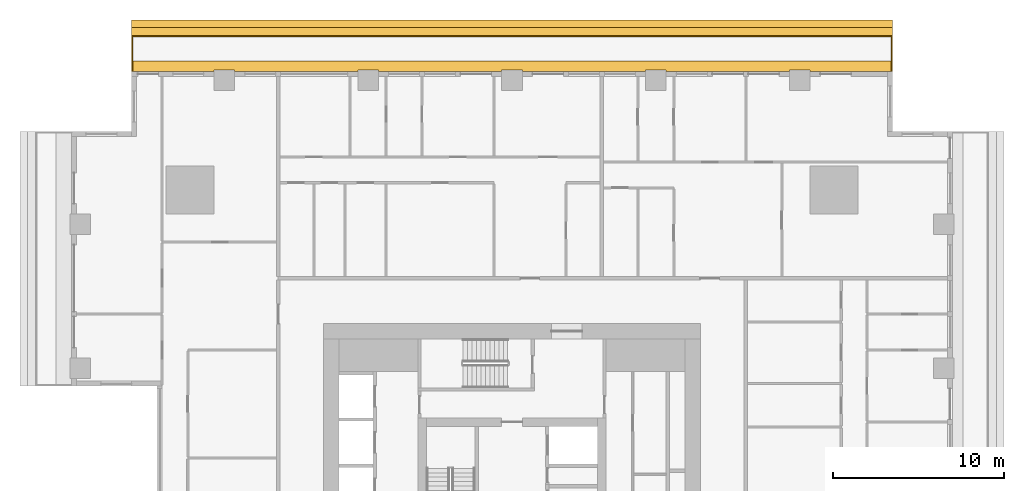
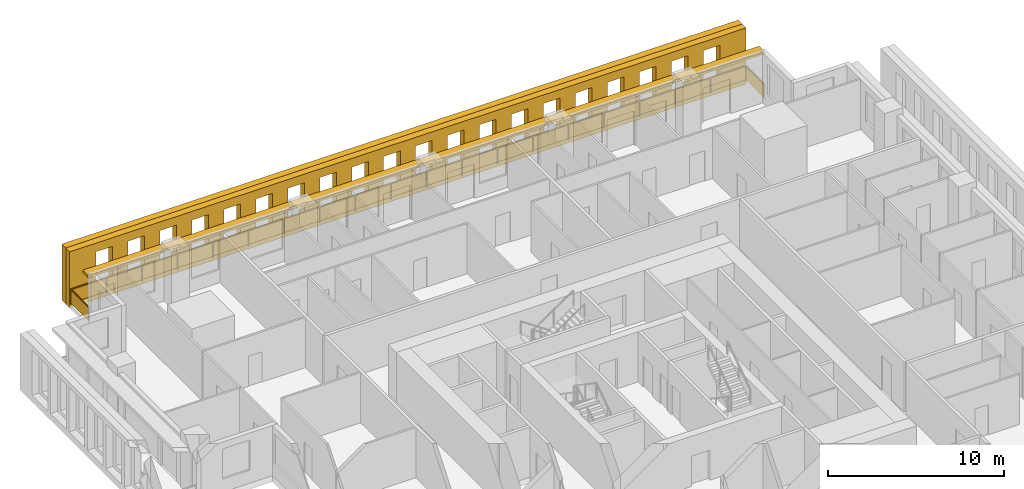
# One storey, part 15 of 15: 3 shading devices, 1 railing.
"""IFC4 building model written with IfcOpenShell, lengths in metres."""

from ifc_helpers import new_model, si_unit, direction, frame, origin, origin_2d, place, context, subcontext, project, spatial, polyline, rectangle, outline, extrude, material, layer, layer_set, type_object, element, save


model = new_model("IFC4")

# Units and contexts
model_context = context("Model", 3, precision=1e-05, world=origin(), true_north=direction((0.0, 1.0)))
body_context = subcontext(model_context, "Body", "Model", "MODEL_VIEW")
ifc_project = project(units=[si_unit("LENGTHUNIT", "METRE"), si_unit("AREAUNIT", "SQUARE_METRE"), si_unit("VOLUMEUNIT", "CUBIC_METRE"), si_unit("PLANEANGLEUNIT", "RADIAN"), si_unit("MASSUNIT", "GRAM", prefix="KILO")], contexts=[model_context])

# Site, building, storey
site_placement = place(None, origin())
site = spatial("IfcSite", under=ifc_project, at=site_placement, CompositionType="ELEMENT")
building_placement = place(site_placement, origin())
building = spatial("IfcBuilding", under=site, at=building_placement, Name="Khepri Terraces", CompositionType="ELEMENT")
storey_placement = place(building_placement, frame((0.0, 0.0, 98.699951171875)))
storey = spatial("IfcBuildingStorey", under=building, at=storey_placement, Name="L23", CompositionType="ELEMENT", Elevation=98.699951171875)

# Railing
ifc_material_1 = material(Name="Stainless steel grade 316", Category="steel")
railing_type = type_object("IfcRailingType", Name="GRD-BAL-1100", PredefinedType="GUARDRAIL", material=ifc_material_1)
railing_placement = place(storey_placement, frame((22.169921875, 25.719970703125, 0.0)))
element("IfcRailing", 1, at=railing_placement, inside=storey, type_object=railing_type, Name="Balcony guard L23 N", PredefinedType="GUARDRAIL", context=body_context, shape_type="SweptSolid", body=[
    extrude(rectangle(XDim=0.050048828125, YDim=0.06005859375, at=origin_2d()), frame((0.0, 0.0, 1.070068359375), z_axis=(0.0, 1.0, 0.0), x_axis=(-1.0, 0.0, 0.0)), (0.0, 0.0, 1.0), 2.050048828125),
    extrude(rectangle(XDim=2.0, YDim=0.011962890625, at=origin_2d()), frame((0.0, 1.02490234375, 0.10009765625), z_axis=(0.0, 0.0, 1.0), x_axis=(0.0, 1.0, 0.0)), (0.0, 0.0, 1.0), 0.93994140625),
    extrude(rectangle(XDim=0.050048828125, YDim=0.06005859375, at=origin_2d()), frame((0.0, 2.050048828125, 1.070068359375), z_axis=(-1.0, 0.0, 0.0), x_axis=(0.0, -1.0, 0.0)), (0.0, 0.0, 1.0), 44.33984375),
    extrude(rectangle(XDim=2.28369140625, YDim=0.011962890625, at=origin_2d()), frame((-1.166748046875, 2.050048828125, 0.10009765625), z_axis=(0.0, 0.0, 1.0), x_axis=(-1.0, 0.0, 0.0)), (0.0, 0.0, 1.0), 0.93994140625),
    extrude(rectangle(XDim=2.28369140625, YDim=0.011962890625, at=origin_2d()), frame((-3.50048828125, 2.050048828125, 0.10009765625), z_axis=(0.0, 0.0, 1.0), x_axis=(-1.0, 0.0, 0.0)), (0.0, 0.0, 1.0), 0.93994140625),
    extrude(rectangle(XDim=2.28369140625, YDim=0.011962890625, at=origin_2d()), frame((-5.834228515625, 2.050048828125, 0.10009765625), z_axis=(0.0, 0.0, 1.0), x_axis=(-1.0, 0.0, 0.0)), (0.0, 0.0, 1.0), 0.93994140625),
    extrude(rectangle(XDim=2.28369140625, YDim=0.011962890625, at=origin_2d()), frame((-8.16796875, 2.050048828125, 0.10009765625), z_axis=(0.0, 0.0, 1.0), x_axis=(-1.0, 0.0, 0.0)), (0.0, 0.0, 1.0), 0.93994140625),
    extrude(rectangle(XDim=2.28369140625, YDim=0.011962890625, at=origin_2d()), frame((-10.50146484375, 2.050048828125, 0.10009765625), z_axis=(0.0, 0.0, 1.0), x_axis=(-1.0, 0.0, 0.0)), (0.0, 0.0, 1.0), 0.93994140625),
    extrude(rectangle(XDim=2.28369140625, YDim=0.011962890625, at=origin_2d()), frame((-12.835205078125, 2.050048828125, 0.10009765625), z_axis=(0.0, 0.0, 1.0), x_axis=(-1.0, 0.0, 0.0)), (0.0, 0.0, 1.0), 0.93994140625),
    extrude(rectangle(XDim=2.28369140625, YDim=0.011962890625, at=origin_2d()), frame((-15.1689453125, 2.050048828125, 0.10009765625), z_axis=(0.0, 0.0, 1.0), x_axis=(-1.0, 0.0, 0.0)), (0.0, 0.0, 1.0), 0.93994140625),
    extrude(rectangle(XDim=2.28369140625, YDim=0.011962890625, at=origin_2d()), frame((-17.502685546875, 2.050048828125, 0.10009765625), z_axis=(0.0, 0.0, 1.0), x_axis=(-1.0, 0.0, 0.0)), (0.0, 0.0, 1.0), 0.93994140625),
    extrude(rectangle(XDim=2.28369140625, YDim=0.011962890625, at=origin_2d()), frame((-19.836181640625, 2.050048828125, 0.10009765625), z_axis=(0.0, 0.0, 1.0), x_axis=(-1.0, 0.0, 0.0)), (0.0, 0.0, 1.0), 0.93994140625),
    extrude(rectangle(XDim=2.28369140625, YDim=0.011962890625, at=origin_2d()), frame((-22.169921875, 2.050048828125, 0.10009765625), z_axis=(0.0, 0.0, 1.0), x_axis=(-1.0, 0.0, 0.0)), (0.0, 0.0, 1.0), 0.93994140625),
    extrude(rectangle(XDim=2.28369140625, YDim=0.011962890625, at=origin_2d()), frame((-24.503662109375, 2.050048828125, 0.10009765625), z_axis=(0.0, 0.0, 1.0), x_axis=(-1.0, 0.0, 0.0)), (0.0, 0.0, 1.0), 0.93994140625),
    extrude(rectangle(XDim=2.28369140625, YDim=0.011962890625, at=origin_2d()), frame((-26.837158203125, 2.050048828125, 0.10009765625), z_axis=(0.0, 0.0, 1.0), x_axis=(-1.0, 0.0, 0.0)), (0.0, 0.0, 1.0), 0.93994140625),
    extrude(rectangle(XDim=2.28369140625, YDim=0.011962890625, at=origin_2d()), frame((-29.1708984375, 2.050048828125, 0.10009765625), z_axis=(0.0, 0.0, 1.0), x_axis=(-1.0, 0.0, 0.0)), (0.0, 0.0, 1.0), 0.93994140625),
    extrude(rectangle(XDim=2.28369140625, YDim=0.011962890625, at=origin_2d()), frame((-31.504638671875, 2.050048828125, 0.10009765625), z_axis=(0.0, 0.0, 1.0), x_axis=(-1.0, 0.0, 0.0)), (0.0, 0.0, 1.0), 0.93994140625),
    extrude(rectangle(XDim=2.28369140625, YDim=0.011962890625, at=origin_2d()), frame((-33.83837890625, 2.050048828125, 0.10009765625), z_axis=(0.0, 0.0, 1.0), x_axis=(-1.0, 0.0, 0.0)), (0.0, 0.0, 1.0), 0.93994140625),
    extrude(rectangle(XDim=2.28369140625, YDim=0.011962890625, at=origin_2d()), frame((-36.171875, 2.050048828125, 0.10009765625), z_axis=(0.0, 0.0, 1.0), x_axis=(-1.0, 0.0, 0.0)), (0.0, 0.0, 1.0), 0.93994140625),
    extrude(rectangle(XDim=2.28369140625, YDim=0.011962890625, at=origin_2d()), frame((-38.505615234375, 2.050048828125, 0.10009765625), z_axis=(0.0, 0.0, 1.0), x_axis=(-1.0, 0.0, 0.0)), (0.0, 0.0, 1.0), 0.93994140625),
    extrude(rectangle(XDim=2.28369140625, YDim=0.011962890625, at=origin_2d()), frame((-40.83935546875, 2.050048828125, 0.10009765625), z_axis=(0.0, 0.0, 1.0), x_axis=(-1.0, 0.0, 0.0)), (0.0, 0.0, 1.0), 0.93994140625),
    extrude(rectangle(XDim=2.28369140625, YDim=0.011962890625, at=origin_2d()), frame((-43.173095703125, 2.050048828125, 0.10009765625), z_axis=(0.0, 0.0, 1.0), x_axis=(-1.0, 0.0, 0.0)), (0.0, 0.0, 1.0), 0.93994140625),
    extrude(rectangle(XDim=0.050048828125, YDim=0.06005859375, at=origin_2d()), frame((-44.33984375, 2.050048828125, 1.070068359375), z_axis=(0.0, -1.0, 0.0), x_axis=(1.0, 0.0, 0.0)), (0.0, 0.0, 1.0), 2.050048828125),
    extrude(rectangle(XDim=2.0, YDim=0.011962890625, at=origin_2d()), frame((-44.33984375, 1.02490234375, 0.10009765625), z_axis=(0.0, 0.0, 1.0), x_axis=(0.0, -1.0, 0.0)), (0.0, 0.0, 1.0), 0.93994140625),
    extrude(rectangle(XDim=0.050048828125, YDim=0.050048828125, at=origin_2d()), origin(), (0.0, 0.0, 1.0), 1.0400390625),
    extrude(rectangle(XDim=0.050048828125, YDim=0.050048828125, at=origin_2d()), frame((0.0, 2.050048828125, 0.0)), (0.0, 0.0, 1.0), 1.0400390625),
    extrude(rectangle(XDim=0.050048828125, YDim=0.050048828125, at=origin_2d()), frame((-2.333740234375, 2.050048828125, 0.0)), (0.0, 0.0, 1.0), 1.0400390625),
    extrude(rectangle(XDim=0.050048828125, YDim=0.050048828125, at=origin_2d()), frame((-4.667236328125, 2.050048828125, 0.0)), (0.0, 0.0, 1.0), 1.0400390625),
    extrude(rectangle(XDim=0.050048828125, YDim=0.050048828125, at=origin_2d()), frame((-7.0009765625, 2.050048828125, 0.0)), (0.0, 0.0, 1.0), 1.0400390625),
    extrude(rectangle(XDim=0.050048828125, YDim=0.050048828125, at=origin_2d()), frame((-9.334716796875, 2.050048828125, 0.0)), (0.0, 0.0, 1.0), 1.0400390625),
    extrude(rectangle(XDim=0.050048828125, YDim=0.050048828125, at=origin_2d()), frame((-11.66845703125, 2.050048828125, 0.0)), (0.0, 0.0, 1.0), 1.0400390625),
    extrude(rectangle(XDim=0.050048828125, YDim=0.050048828125, at=origin_2d()), frame((-14.001953125, 2.050048828125, 0.0)), (0.0, 0.0, 1.0), 1.0400390625),
    extrude(rectangle(XDim=0.050048828125, YDim=0.050048828125, at=origin_2d()), frame((-16.335693359375, 2.050048828125, 0.0)), (0.0, 0.0, 1.0), 1.0400390625),
    extrude(rectangle(XDim=0.050048828125, YDim=0.050048828125, at=origin_2d()), frame((-18.66943359375, 2.050048828125, 0.0)), (0.0, 0.0, 1.0), 1.0400390625),
    extrude(rectangle(XDim=0.050048828125, YDim=0.050048828125, at=origin_2d()), frame((-21.003173828125, 2.050048828125, 0.0)), (0.0, 0.0, 1.0), 1.0400390625),
    extrude(rectangle(XDim=0.050048828125, YDim=0.050048828125, at=origin_2d()), frame((-23.336669921875, 2.050048828125, 0.0)), (0.0, 0.0, 1.0), 1.0400390625),
    extrude(rectangle(XDim=0.050048828125, YDim=0.050048828125, at=origin_2d()), frame((-25.67041015625, 2.050048828125, 0.0)), (0.0, 0.0, 1.0), 1.0400390625),
    extrude(rectangle(XDim=0.050048828125, YDim=0.050048828125, at=origin_2d()), frame((-28.004150390625, 2.050048828125, 0.0)), (0.0, 0.0, 1.0), 1.0400390625),
    extrude(rectangle(XDim=0.050048828125, YDim=0.050048828125, at=origin_2d()), frame((-30.337890625, 2.050048828125, 0.0)), (0.0, 0.0, 1.0), 1.0400390625),
    extrude(rectangle(XDim=0.050048828125, YDim=0.050048828125, at=origin_2d()), frame((-32.67138671875, 2.050048828125, 0.0)), (0.0, 0.0, 1.0), 1.0400390625),
    extrude(rectangle(XDim=0.050048828125, YDim=0.050048828125, at=origin_2d()), frame((-35.005126953125, 2.050048828125, 0.0)), (0.0, 0.0, 1.0), 1.0400390625),
    extrude(rectangle(XDim=0.050048828125, YDim=0.050048828125, at=origin_2d()), frame((-37.3388671875, 2.050048828125, 0.0)), (0.0, 0.0, 1.0), 1.0400390625),
    extrude(rectangle(XDim=0.050048828125, YDim=0.050048828125, at=origin_2d()), frame((-39.672607421875, 2.050048828125, 0.0)), (0.0, 0.0, 1.0), 1.0400390625),
    extrude(rectangle(XDim=0.050048828125, YDim=0.050048828125, at=origin_2d()), frame((-42.006103515625, 2.050048828125, 0.0)), (0.0, 0.0, 1.0), 1.0400390625),
    extrude(rectangle(XDim=0.050048828125, YDim=0.050048828125, at=origin_2d()), frame((-44.33984375, 2.050048828125, 0.0)), (0.0, 0.0, 1.0), 1.0400390625),
    extrude(rectangle(XDim=0.050048828125, YDim=0.050048828125, at=origin_2d()), frame((-44.33984375, 0.0, 0.0)), (0.0, 0.0, 1.0), 1.0400390625),
])

# Shading devices
ifc_material_2 = material(Name="Precast concrete C50/60 warm stone", Category="masonry")
shading_device_type_1 = type_object("IfcShadingDeviceType", Name="SCR-CELL-INNER-450", PredefinedType="USERDEFINED", material=ifc_material_2)
shading_device_1_placement = place(storey_placement, frame((22.219970703125, 27.820068359375, -0.25), z_axis=(0.0, 1.0, 0.0), x_axis=(-1.0, 0.0, 0.0)))
element("IfcShadingDevice", 2, at=shading_device_1_placement, inside=storey, type_object=shading_device_type_1, Name="Cell screen L23 N in", ObjectType="SCREEN", PredefinedType="USERDEFINED", context=body_context, shape_type="SweptSolid", body=[
    extrude(outline(polyline([(0.0, 0.0), (44.43994140625, 0.0), (44.43994140625, 3.89990234375), (0.0, 3.89990234375), (0.0, 0.0)]), holes=[polyline([(1.7265625, 0.699951171875), (2.8134765625, 0.699951171875), (2.8134765625, 3.300048828125), (1.7265625, 3.300048828125), (1.7265625, 0.699951171875)]), polyline([(3.82666015625, 0.699951171875), (4.913330078125, 0.699951171875), (4.913330078125, 3.300048828125), (3.82666015625, 3.300048828125), (3.82666015625, 0.699951171875)]), polyline([(5.926513671875, 0.699951171875), (7.013427734375, 0.699951171875), (7.013427734375, 3.300048828125), (5.926513671875, 3.300048828125), (5.926513671875, 0.699951171875)]), polyline([(8.026611328125, 0.699951171875), (9.11328125, 0.699951171875), (9.11328125, 3.300048828125), (8.026611328125, 3.300048828125), (8.026611328125, 0.699951171875)]), polyline([(10.126708984375, 0.699951171875), (11.21337890625, 0.699951171875), (11.21337890625, 3.300048828125), (10.126708984375, 3.300048828125), (10.126708984375, 0.699951171875)]), polyline([(12.2265625, 0.699951171875), (13.3134765625, 0.699951171875), (13.3134765625, 3.300048828125), (12.2265625, 3.300048828125), (12.2265625, 0.699951171875)]), polyline([(14.32666015625, 0.699951171875), (15.413330078125, 0.699951171875), (15.413330078125, 3.300048828125), (14.32666015625, 3.300048828125), (14.32666015625, 0.699951171875)]), polyline([(16.426513671875, 0.699951171875), (17.513427734375, 0.699951171875), (17.513427734375, 3.300048828125), (16.426513671875, 3.300048828125), (16.426513671875, 0.699951171875)]), polyline([(18.526611328125, 0.699951171875), (19.61328125, 0.699951171875), (19.61328125, 3.300048828125), (18.526611328125, 3.300048828125), (18.526611328125, 0.699951171875)]), polyline([(20.626708984375, 0.699951171875), (21.71337890625, 0.699951171875), (21.71337890625, 3.300048828125), (20.626708984375, 3.300048828125), (20.626708984375, 0.699951171875)]), polyline([(22.7265625, 0.699951171875), (23.8134765625, 0.699951171875), (23.8134765625, 3.300048828125), (22.7265625, 3.300048828125), (22.7265625, 0.699951171875)]), polyline([(24.82666015625, 0.699951171875), (25.913330078125, 0.699951171875), (25.913330078125, 3.300048828125), (24.82666015625, 3.300048828125), (24.82666015625, 0.699951171875)]), polyline([(26.926513671875, 0.699951171875), (28.013427734375, 0.699951171875), (28.013427734375, 3.300048828125), (26.926513671875, 3.300048828125), (26.926513671875, 0.699951171875)]), polyline([(29.026611328125, 0.699951171875), (30.11328125, 0.699951171875), (30.11328125, 3.300048828125), (29.026611328125, 3.300048828125), (29.026611328125, 0.699951171875)]), polyline([(31.126708984375, 0.699951171875), (32.21337890625, 0.699951171875), (32.21337890625, 3.300048828125), (31.126708984375, 3.300048828125), (31.126708984375, 0.699951171875)]), polyline([(33.2265625, 0.699951171875), (34.3134765625, 0.699951171875), (34.3134765625, 3.300048828125), (33.2265625, 3.300048828125), (33.2265625, 0.699951171875)]), polyline([(35.32666015625, 0.699951171875), (36.413330078125, 0.699951171875), (36.413330078125, 3.300048828125), (35.32666015625, 3.300048828125), (35.32666015625, 0.699951171875)]), polyline([(37.426513671875, 0.699951171875), (38.513427734375, 0.699951171875), (38.513427734375, 3.300048828125), (37.426513671875, 3.300048828125), (37.426513671875, 0.699951171875)]), polyline([(39.526611328125, 0.699951171875), (40.61328125, 0.699951171875), (40.61328125, 3.300048828125), (39.526611328125, 3.300048828125), (39.526611328125, 0.699951171875)]), polyline([(41.626708984375, 0.699951171875), (42.71337890625, 0.699951171875), (42.71337890625, 3.300048828125), (41.626708984375, 3.300048828125), (41.626708984375, 0.699951171875)])]), origin(), (0.0, 0.0, 1.0), 0.449951171875),
])
shading_device_type_2 = type_object("IfcShadingDeviceType", Name="SCR-CELL-OUTER-450", PredefinedType="USERDEFINED", material=ifc_material_2)
shading_device_2_placement = place(storey_placement, frame((22.219970703125, 28.27001953125, -0.25), z_axis=(0.0, 1.0, 0.0), x_axis=(-1.0, 0.0, 0.0)))
element("IfcShadingDevice", 3, at=shading_device_2_placement, inside=storey, type_object=shading_device_type_2, Name="Cell screen L23 N out", ObjectType="SCREEN", PredefinedType="USERDEFINED", context=body_context, shape_type="SweptSolid", body=[
    extrude(outline(polyline([(0.0, 0.0), (44.43994140625, 0.0), (44.43994140625, 3.89990234375), (0.0, 3.89990234375), (0.0, 0.0)]), holes=[polyline([(1.376708984375, 0.449951171875), (3.163330078125, 0.449951171875), (3.163330078125, 3.550048828125), (1.376708984375, 3.550048828125), (1.376708984375, 0.449951171875)]), polyline([(3.4765625, 0.449951171875), (5.263427734375, 0.449951171875), (5.263427734375, 3.550048828125), (3.4765625, 3.550048828125), (3.4765625, 0.449951171875)]), polyline([(5.57666015625, 0.449951171875), (7.36328125, 0.449951171875), (7.36328125, 3.550048828125), (5.57666015625, 3.550048828125), (5.57666015625, 0.449951171875)]), polyline([(7.676513671875, 0.449951171875), (9.46337890625, 0.449951171875), (9.46337890625, 3.550048828125), (7.676513671875, 3.550048828125), (7.676513671875, 0.449951171875)]), polyline([(9.776611328125, 0.449951171875), (11.5634765625, 0.449951171875), (11.5634765625, 3.550048828125), (9.776611328125, 3.550048828125), (9.776611328125, 0.449951171875)]), polyline([(11.876708984375, 0.449951171875), (13.663330078125, 0.449951171875), (13.663330078125, 3.550048828125), (11.876708984375, 3.550048828125), (11.876708984375, 0.449951171875)]), polyline([(13.9765625, 0.449951171875), (15.763427734375, 0.449951171875), (15.763427734375, 3.550048828125), (13.9765625, 3.550048828125), (13.9765625, 0.449951171875)]), polyline([(16.07666015625, 0.449951171875), (17.86328125, 0.449951171875), (17.86328125, 3.550048828125), (16.07666015625, 3.550048828125), (16.07666015625, 0.449951171875)]), polyline([(18.176513671875, 0.449951171875), (19.96337890625, 0.449951171875), (19.96337890625, 3.550048828125), (18.176513671875, 3.550048828125), (18.176513671875, 0.449951171875)]), polyline([(20.276611328125, 0.449951171875), (22.0634765625, 0.449951171875), (22.0634765625, 3.550048828125), (20.276611328125, 3.550048828125), (20.276611328125, 0.449951171875)]), polyline([(22.376708984375, 0.449951171875), (24.163330078125, 0.449951171875), (24.163330078125, 3.550048828125), (22.376708984375, 3.550048828125), (22.376708984375, 0.449951171875)]), polyline([(24.4765625, 0.449951171875), (26.263427734375, 0.449951171875), (26.263427734375, 3.550048828125), (24.4765625, 3.550048828125), (24.4765625, 0.449951171875)]), polyline([(26.57666015625, 0.449951171875), (28.36328125, 0.449951171875), (28.36328125, 3.550048828125), (26.57666015625, 3.550048828125), (26.57666015625, 0.449951171875)]), polyline([(28.676513671875, 0.449951171875), (30.46337890625, 0.449951171875), (30.46337890625, 3.550048828125), (28.676513671875, 3.550048828125), (28.676513671875, 0.449951171875)]), polyline([(30.776611328125, 0.449951171875), (32.5634765625, 0.449951171875), (32.5634765625, 3.550048828125), (30.776611328125, 3.550048828125), (30.776611328125, 0.449951171875)]), polyline([(32.876708984375, 0.449951171875), (34.663330078125, 0.449951171875), (34.663330078125, 3.550048828125), (32.876708984375, 3.550048828125), (32.876708984375, 0.449951171875)]), polyline([(34.9765625, 0.449951171875), (36.763427734375, 0.449951171875), (36.763427734375, 3.550048828125), (34.9765625, 3.550048828125), (34.9765625, 0.449951171875)]), polyline([(37.07666015625, 0.449951171875), (38.86328125, 0.449951171875), (38.86328125, 3.550048828125), (37.07666015625, 3.550048828125), (37.07666015625, 0.449951171875)]), polyline([(39.176513671875, 0.449951171875), (40.96337890625, 0.449951171875), (40.96337890625, 3.550048828125), (39.176513671875, 3.550048828125), (39.176513671875, 0.449951171875)]), polyline([(41.276611328125, 0.449951171875), (43.0634765625, 0.449951171875), (43.0634765625, 3.550048828125), (41.276611328125, 3.550048828125), (41.276611328125, 0.449951171875)])]), origin(), (0.0, 0.0, 1.0), 0.449951171875),
])
ifc_layer = layer(ifc_material_2, 0.199951171875, Name="Precast concrete C50/60 warm stone", Category="masonry")
ifc_layer_set = layer_set([ifc_layer], Name="Precast concrete C50/60 warm stone")
shading_device_type_3 = type_object("IfcShadingDeviceType", Name="SSH-BAND-STONE-200-N", PredefinedType="USERDEFINED", material=ifc_layer_set)
shading_device_3_placement = place(storey_placement, frame((0.0, 0.0, 3.10009765625)))
element("IfcShadingDevice", 4, at=shading_device_3_placement, inside=storey, type_object=shading_device_type_3, Name="Sunshade band L23 N", ObjectType="SUNSHADE", PredefinedType="USERDEFINED", context=body_context, shape_type="SweptSolid", body=[
    extrude(outline(polyline([(17.39990234375, 25.719970703125), (22.219970703125, 25.719970703125), (22.219970703125, 26.320068359375), (-22.219970703125, 26.320068359375), (-22.219970703125, 25.719970703125), (-17.39990234375, 25.719970703125), (-17.39990234375, 25.800048828125), (-16.199951171875, 25.800048828125), (-16.199951171875, 25.719970703125), (-9.0, 25.719970703125), (-9.0, 25.800048828125), (-7.800048828125, 25.800048828125), (-7.800048828125, 25.719970703125), (-0.60009765625, 25.719970703125), (-0.60009765625, 25.800048828125), (0.60009765625, 25.800048828125), (0.60009765625, 25.719970703125), (7.800048828125, 25.719970703125), (7.800048828125, 25.800048828125), (9.0, 25.800048828125), (9.0, 25.719970703125), (16.199951171875, 25.719970703125), (16.199951171875, 25.800048828125), (17.39990234375, 25.800048828125), (17.39990234375, 25.719970703125)])), origin(), (0.0, 0.0, 1.0), 0.199951171875),
])

save(model, "model.ifc")
